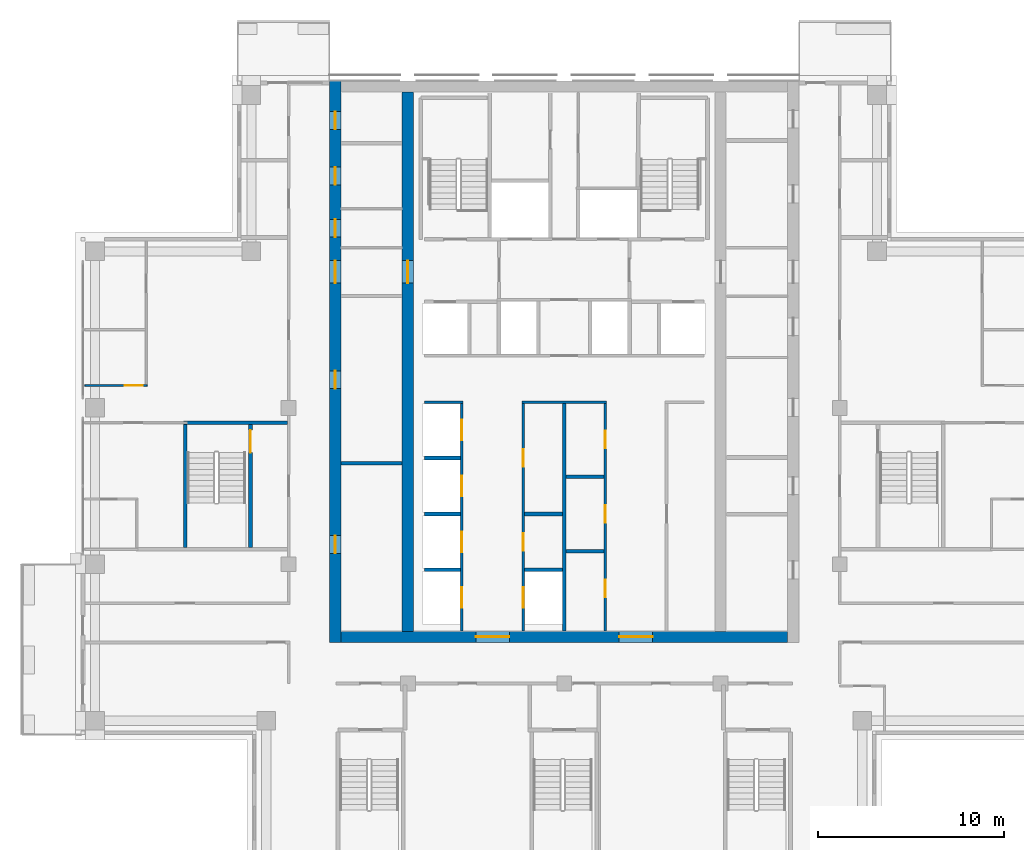
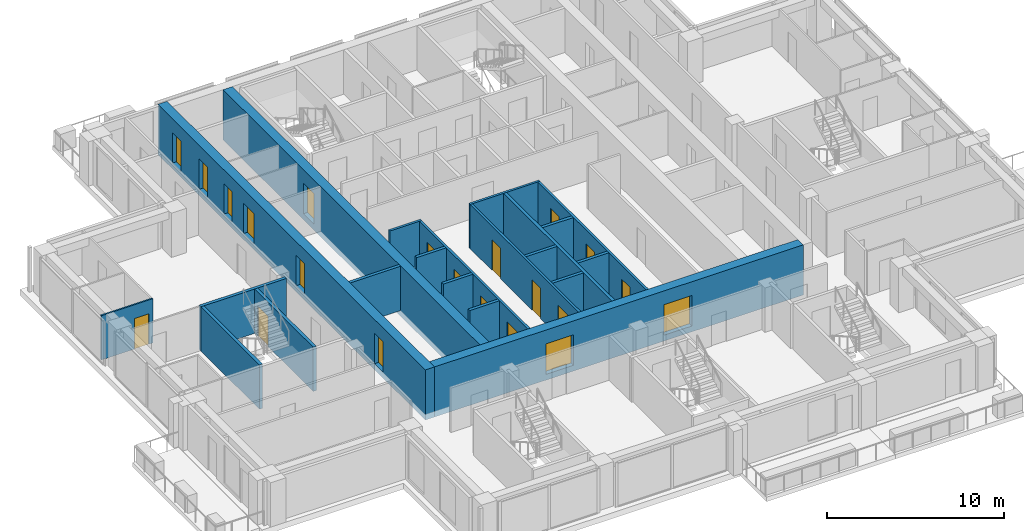
# One storey, part 9 of 17: 21 doors, 21 walls, 21 openings.
"""IFC4 building model written with IfcOpenShell, lengths in metres."""

from ifc_helpers import new_model, si_unit, direction, frame, frame_2d, origin, place, context, subcontext, project, spatial, rectangle, extrude, material, layer, layer_set, type_object, element, fill, save


model = new_model("IFC4")

# Units and contexts
model_context = context("Model", 3, precision=1e-05, world=origin(), true_north=direction((0.0, 1.0)))
body_context = subcontext(model_context, "Body", "Model", "MODEL_VIEW")
ifc_project = project(units=[si_unit("LENGTHUNIT", "METRE"), si_unit("AREAUNIT", "SQUARE_METRE"), si_unit("VOLUMEUNIT", "CUBIC_METRE"), si_unit("PLANEANGLEUNIT", "RADIAN"), si_unit("MASSUNIT", "GRAM", prefix="KILO")], contexts=[model_context])

# Site, building, storey
site_placement = place(None, origin())
site = spatial("IfcSite", under=ifc_project, at=site_placement, CompositionType="ELEMENT")
building_placement = place(site_placement, origin())
building = spatial("IfcBuilding", under=site, at=building_placement, Name="Vermilion Ogive Tower", CompositionType="ELEMENT")
storey_placement = place(building_placement, frame((0.0, 0.0, 189.35009765625)))
storey = spatial("IfcBuildingStorey", under=building, at=storey_placement, Name="L49", CompositionType="ELEMENT", Elevation=189.35009765625)

# Wall, openings, doors
ifc_material_1 = material(Name="Concrete B60", Category="concrete")
ifc_layer_1 = layer(ifc_material_1, 0.60009765625)
ifc_layer_set_1 = layer_set([ifc_layer_1], Name="Core wall 600 B60")
wall_type_1 = type_object("IfcWallType", Name="Core wall 600 B60", PredefinedType="SHEAR", material=ifc_layer_set_1)
wall_1_placement = place(storey_placement, frame((-12.300048828125, -8.39990234375, -0.400146484375), z_axis=(0.0, 0.0, 1.0), x_axis=(0.0, 1.0, 0.0)))
wall_1 = element("IfcWall", 1, at=wall_1_placement, inside=storey, type_object=wall_type_1, Name="L49-CORE-W", PredefinedType="SHEAR", context=body_context, shape_type="SweptSolid", body=[
    extrude(rectangle(XDim=30.14990234375, YDim=0.60009765625, at=frame_2d((15.074951171875, 0.0))), origin(), (0.0, 0.0, 1.0), 3.449951171875),
])
opening_1_placement = place(wall_1_placement, frame((4.78759765625, 0.0, 0.39990234375)))
opening_1 = element("IfcOpeningElement", 2, at=opening_1_placement, cuts=wall_1, Name="Opening DAD073", PredefinedType="OPENING", context=body_context, shape_type="SweptSolid", body=[
    extrude(rectangle(XDim=0.949951171875, YDim=2.10009765625, at=frame_2d((0.47509765625, 1.050048828125))), frame((0.0, 0.31005859375, 0.0), z_axis=(0.0, -1.0, 0.0), x_axis=(1.0, 0.0, 0.0)), (0.0, 0.0, 1.0), 0.6201171875),
])
opening_2_placement = place(wall_1_placement, frame((13.6376953125, 0.0, 0.39990234375)))
opening_2 = element("IfcOpeningElement", 3, at=opening_2_placement, cuts=wall_1, Name="Opening DAD074", PredefinedType="OPENING", context=body_context, shape_type="SweptSolid", body=[
    extrude(rectangle(XDim=0.949951171875, YDim=2.10009765625, at=frame_2d((0.47509765625, 1.050048828125))), frame((0.0, 0.31005859375, 0.0), z_axis=(0.0, -1.0, 0.0), x_axis=(1.0, 0.0, 0.0)), (0.0, 0.0, 1.0), 0.6201171875),
])
opening_3_placement = place(wall_1_placement, frame((21.7705078125, 0.0, 0.39990234375)))
opening_3 = element("IfcOpeningElement", 4, at=opening_3_placement, cuts=wall_1, Name="Opening DAD075", PredefinedType="OPENING", context=body_context, shape_type="SweptSolid", body=[
    extrude(rectangle(XDim=0.949951171875, YDim=2.10009765625, at=frame_2d((0.47509765625, 1.050048828125))), frame((0.0, 0.31005859375, 0.0), z_axis=(0.0, -1.0, 0.0), x_axis=(1.0, 0.0, 0.0)), (0.0, 0.0, 1.0), 0.6201171875),
])
opening_4_placement = place(wall_1_placement, frame((24.57568359375, 0.0, 0.39990234375)))
opening_4 = element("IfcOpeningElement", 5, at=opening_4_placement, cuts=wall_1, Name="Opening DAD076", PredefinedType="OPENING", context=body_context, shape_type="SweptSolid", body=[
    extrude(rectangle(XDim=0.949951171875, YDim=2.10009765625, at=frame_2d((0.47509765625, 1.050048828125))), frame((0.0, 0.31005859375, 0.0), z_axis=(0.0, -1.0, 0.0), x_axis=(1.0, 0.0, 0.0)), (0.0, 0.0, 1.0), 0.6201171875),
])
opening_5_placement = place(wall_1_placement, frame((27.555419921875, 0.0, 0.39990234375)))
opening_5 = element("IfcOpeningElement", 6, at=opening_5_placement, cuts=wall_1, Name="Opening DAD077", PredefinedType="OPENING", context=body_context, shape_type="SweptSolid", body=[
    extrude(rectangle(XDim=0.949951171875, YDim=2.10009765625, at=frame_2d((0.47509765625, 1.050048828125))), frame((0.0, 0.31005859375, 0.0), z_axis=(0.0, -1.0, 0.0), x_axis=(1.0, 0.0, 0.0)), (0.0, 0.0, 1.0), 0.6201171875),
])
opening_6_placement = place(wall_1_placement, frame((19.300048828125, 0.0, 0.39990234375)))
opening_6 = element("IfcOpeningElement", 7, at=opening_6_placement, cuts=wall_1, Name="Opening DAM019", PredefinedType="OPENING", context=body_context, shape_type="SweptSolid", body=[
    extrude(rectangle(XDim=1.199951171875, YDim=2.10009765625, at=frame_2d((0.60009765625, 1.050048828125))), frame((0.0, 0.31005859375, 0.0), z_axis=(0.0, -1.0, 0.0), x_axis=(1.0, 0.0, 0.0)), (0.0, 0.0, 1.0), 0.6201171875),
])
ifc_material_2 = material(Name="Timber door leaf", Category="wood")
door_type_1 = type_object("IfcDoorType", Name="Link door 1200 x 2100 FD60S", OperationType="SINGLE_SWING_LEFT", PredefinedType="DOOR", material=ifc_material_2)
door_1_placement = place(opening_6_placement, origin())
door_1 = element("IfcDoor", 8, at=door_1_placement, inside=storey, type_object=door_type_1, Name="L49-CKW-XL", OperationType="SINGLE_SWING_LEFT", OverallHeight=2.10009765625, OverallWidth=1.199951171875, PredefinedType="DOOR", context=body_context, shape_type="SweptSolid", body=[
    extrude(rectangle(XDim=1.199951171875, YDim=2.10009765625, at=frame_2d((0.60009765625, 1.050048828125))), frame((0.0, 0.02490234375, 0.0), z_axis=(0.0, -1.0, 0.0), x_axis=(1.0, 0.0, 0.0)), (0.0, 0.0, 1.0), 0.050048828125),
])
fill(opening_6, door_1)
ifc_material_3 = material(Name="Timber door leaf", Category="wood")
door_type_2 = type_object("IfcDoorType", Name="Service door 950 x 2100 FD60", OperationType="SINGLE_SWING_LEFT", PredefinedType="DOOR", material=ifc_material_3)
door_2_placement = place(opening_1_placement, origin())
door_2 = element("IfcDoor", 9, at=door_2_placement, inside=storey, type_object=door_type_2, Name="L49-CKW-XR0", OperationType="SINGLE_SWING_LEFT", OverallHeight=2.10009765625, OverallWidth=0.949951171875, PredefinedType="DOOR", context=body_context, shape_type="SweptSolid", body=[
    extrude(rectangle(XDim=0.949951171875, YDim=2.10009765625, at=frame_2d((0.47509765625, 1.050048828125))), frame((0.0, 0.02490234375, 0.0), z_axis=(0.0, -1.0, 0.0), x_axis=(1.0, 0.0, 0.0)), (0.0, 0.0, 1.0), 0.050048828125),
])
fill(opening_1, door_2)
door_3_placement = place(opening_2_placement, origin())
door_3 = element("IfcDoor", 10, at=door_3_placement, inside=storey, type_object=door_type_2, Name="L49-CKW-XR1", OperationType="SINGLE_SWING_LEFT", OverallHeight=2.10009765625, OverallWidth=0.949951171875, PredefinedType="DOOR", context=body_context, shape_type="SweptSolid", body=[
    extrude(rectangle(XDim=0.949951171875, YDim=2.10009765625, at=frame_2d((0.47509765625, 1.050048828125))), frame((0.0, 0.02490234375, 0.0), z_axis=(0.0, -1.0, 0.0), x_axis=(1.0, 0.0, 0.0)), (0.0, 0.0, 1.0), 0.050048828125),
])
fill(opening_2, door_3)
door_4_placement = place(opening_3_placement, origin())
door_4 = element("IfcDoor", 11, at=door_4_placement, inside=storey, type_object=door_type_2, Name="L49-CKW-XR2", OperationType="SINGLE_SWING_LEFT", OverallHeight=2.10009765625, OverallWidth=0.949951171875, PredefinedType="DOOR", context=body_context, shape_type="SweptSolid", body=[
    extrude(rectangle(XDim=0.949951171875, YDim=2.10009765625, at=frame_2d((0.47509765625, 1.050048828125))), frame((0.0, 0.02490234375, 0.0), z_axis=(0.0, -1.0, 0.0), x_axis=(1.0, 0.0, 0.0)), (0.0, 0.0, 1.0), 0.050048828125),
])
fill(opening_3, door_4)
door_5_placement = place(opening_4_placement, origin())
door_5 = element("IfcDoor", 12, at=door_5_placement, inside=storey, type_object=door_type_2, Name="L49-CKW-XR3", OperationType="SINGLE_SWING_LEFT", OverallHeight=2.10009765625, OverallWidth=0.949951171875, PredefinedType="DOOR", context=body_context, shape_type="SweptSolid", body=[
    extrude(rectangle(XDim=0.949951171875, YDim=2.10009765625, at=frame_2d((0.47509765625, 1.050048828125))), frame((0.0, 0.02490234375, 0.0), z_axis=(0.0, -1.0, 0.0), x_axis=(1.0, 0.0, 0.0)), (0.0, 0.0, 1.0), 0.050048828125),
])
fill(opening_4, door_5)
door_6_placement = place(opening_5_placement, origin())
door_6 = element("IfcDoor", 13, at=door_6_placement, inside=storey, type_object=door_type_2, Name="L49-CKW-XR4", OperationType="SINGLE_SWING_LEFT", OverallHeight=2.10009765625, OverallWidth=0.949951171875, PredefinedType="DOOR", context=body_context, shape_type="SweptSolid", body=[
    extrude(rectangle(XDim=0.949951171875, YDim=2.10009765625, at=frame_2d((0.47509765625, 1.050048828125))), frame((0.0, 0.02490234375, 0.0), z_axis=(0.0, -1.0, 0.0), x_axis=(1.0, 0.0, 0.0)), (0.0, 0.0, 1.0), 0.050048828125),
])
fill(opening_5, door_6)

wall_2_placement = place(storey_placement, frame((-12.0, -8.10009765625, -0.400146484375), z_axis=(0.0, 0.0, 1.0), x_axis=(1.0, 0.0, 0.0)))
wall_2 = element("IfcWall", 14, at=wall_2_placement, inside=storey, type_object=wall_type_1, Name="L49-CORE-S", PredefinedType="SHEAR", context=body_context, shape_type="SweptSolid", body=[
    extrude(rectangle(XDim=24.0, YDim=0.60009765625, at=frame_2d((12.0, 0.0))), origin(), (0.0, 0.0, 1.0), 3.449951171875),
])
opening_7_placement = place(wall_2_placement, frame((7.25, 0.0, 0.39990234375)))
opening_7 = element("IfcOpeningElement", 15, at=opening_7_placement, cuts=wall_2, Name="Opening DAH037", PredefinedType="OPENING", context=body_context, shape_type="SweptSolid", body=[
    extrude(rectangle(XDim=1.800048828125, YDim=2.10009765625, at=frame_2d((0.89990234375, 1.050048828125))), frame((0.0, 0.31005859375, 0.0), z_axis=(0.0, -1.0, 0.0), x_axis=(1.0, 0.0, 0.0)), (0.0, 0.0, 1.0), 0.6201171875),
])
opening_8_placement = place(wall_2_placement, frame((14.949951171875, 0.0, 0.39990234375)))
opening_8 = element("IfcOpeningElement", 16, at=opening_8_placement, cuts=wall_2, Name="Opening DAH038", PredefinedType="OPENING", context=body_context, shape_type="SweptSolid", body=[
    extrude(rectangle(XDim=1.800048828125, YDim=2.10009765625, at=frame_2d((0.89990234375, 1.050048828125))), frame((0.0, 0.31005859375, 0.0), z_axis=(0.0, -1.0, 0.0), x_axis=(1.0, 0.0, 0.0)), (0.0, 0.0, 1.0), 0.6201171875),
])
ifc_material_4 = material(Name="Timber door leaf", Category="wood")
door_type_3 = type_object("IfcDoorType", Name="Core entry door 1800 x 2100 FD60S", OperationType="DOUBLE_DOOR_SINGLE_SWING", PredefinedType="DOOR", material=ifc_material_4)
door_7_placement = place(opening_7_placement, origin())
door_7 = element("IfcDoor", 17, at=door_7_placement, inside=storey, type_object=door_type_3, Name="L49-CK-XD1", OperationType="SINGLE_SWING_LEFT", OverallHeight=2.10009765625, OverallWidth=1.800048828125, PredefinedType="DOOR", context=body_context, shape_type="SweptSolid", body=[
    extrude(rectangle(XDim=1.800048828125, YDim=2.10009765625, at=frame_2d((0.89990234375, 1.050048828125))), frame((0.0, 0.02490234375, 0.0), z_axis=(0.0, -1.0, 0.0), x_axis=(1.0, 0.0, 0.0)), (0.0, 0.0, 1.0), 0.050048828125),
])
fill(opening_7, door_7)
door_8_placement = place(opening_8_placement, origin())
door_8 = element("IfcDoor", 18, at=door_8_placement, inside=storey, type_object=door_type_3, Name="L49-CK-XD2", OperationType="SINGLE_SWING_LEFT", OverallHeight=2.10009765625, OverallWidth=1.800048828125, PredefinedType="DOOR", context=body_context, shape_type="SweptSolid", body=[
    extrude(rectangle(XDim=1.800048828125, YDim=2.10009765625, at=frame_2d((0.89990234375, 1.050048828125))), frame((0.0, 0.02490234375, 0.0), z_axis=(0.0, -1.0, 0.0), x_axis=(1.0, 0.0, 0.0)), (0.0, 0.0, 1.0), 0.050048828125),
])
fill(opening_8, door_8)

# Wall, opening, door
wall_3_placement = place(storey_placement, frame((-8.39990234375, -7.800048828125, -0.400146484375), z_axis=(0.0, 0.0, 1.0), x_axis=(0.0, 1.0, 0.0)))
wall_3 = element("IfcWall", 19, at=wall_3_placement, inside=storey, type_object=wall_type_1, Name="L49-CORE-WEB1", PredefinedType="SHEAR", context=body_context, shape_type="SweptSolid", body=[
    extrude(rectangle(XDim=28.949951171875, YDim=0.60009765625, at=frame_2d((14.47509765625, 0.0))), origin(), (0.0, 0.0, 1.0), 3.449951171875),
])
opening_9_placement = place(wall_3_placement, frame((18.699951171875, 0.0, 0.39990234375)))
opening_9 = element("IfcOpeningElement", 20, at=opening_9_placement, cuts=wall_3, Name="Opening DAP014", PredefinedType="OPENING", context=body_context, shape_type="SweptSolid", body=[
    extrude(rectangle(XDim=1.199951171875, YDim=2.10009765625, at=frame_2d((0.60009765625, 1.050048828125))), frame((0.0, 0.31005859375, 0.0), z_axis=(0.0, -1.0, 0.0), x_axis=(1.0, 0.0, 0.0)), (0.0, 0.0, 1.0), 0.6201171875),
])
door_9_placement = place(opening_9_placement, origin())
door_9 = element("IfcDoor", 21, at=door_9_placement, inside=storey, type_object=door_type_1, Name="L49-CKW-XW", OperationType="SINGLE_SWING_LEFT", OverallHeight=2.10009765625, OverallWidth=1.199951171875, PredefinedType="DOOR", context=body_context, shape_type="SweptSolid", body=[
    extrude(rectangle(XDim=1.199951171875, YDim=2.10009765625, at=frame_2d((0.60009765625, 1.050048828125))), frame((0.0, 0.02490234375, 0.0), z_axis=(0.0, -1.0, 0.0), x_axis=(1.0, 0.0, 0.0)), (0.0, 0.0, 1.0), 0.050048828125),
])
fill(opening_9, door_9)

ifc_material_5 = material(Name="Gypsum board partition on steel studs", Category="steel")
ifc_layer_2 = layer(ifc_material_5, 0.10009765625)
ifc_layer_set_2 = layer_set([ifc_layer_2], Name="Partition 100 inner")
wall_type_2 = type_object("IfcWallType", Name="Partition 100 inner", PredefinedType="PARTITIONING", material=ifc_layer_set_2)
wall_4_placement = place(storey_placement, frame((-25.75, 5.39990234375, 0.0), z_axis=(0.0, 0.0, 1.0), x_axis=(1.0, 0.0, 0.0)))
wall_4 = element("IfcWall", 22, at=wall_4_placement, inside=storey, type_object=wall_type_2, Name="L49-W-W021", PredefinedType="PARTITIONING", context=body_context, shape_type="SweptSolid", body=[
    extrude(rectangle(XDim=3.35009765625, YDim=0.10009765625, at=frame_2d((1.675048828125, 0.0))), origin(), (0.0, 0.0, 1.0), 3.0498046875),
])
opening_10_placement = place(wall_4_placement, frame((2.14990234375, 0.0, 0.0)))
opening_10 = element("IfcOpeningElement", 23, at=opening_10_placement, cuts=wall_4, Name="Opening D4G2002", PredefinedType="OPENING", context=body_context, shape_type="SweptSolid", body=[
    extrude(rectangle(XDim=0.949951171875, YDim=2.10009765625, at=frame_2d((0.47509765625, 1.050048828125))), frame((0.0, 0.06005859375, 0.0), z_axis=(0.0, -1.0, 0.0), x_axis=(1.0, 0.0, 0.0)), (0.0, 0.0, 1.0), 0.1201171875),
])
ifc_material_6 = material(Name="Timber door leaf", Category="wood")
door_type_4 = type_object("IfcDoorType", Name="Inner door 950 x 2100 FD30", OperationType="SINGLE_SWING_LEFT", PredefinedType="DOOR", material=ifc_material_6)
door_10_placement = place(opening_10_placement, origin())
door_10 = element("IfcDoor", 24, at=door_10_placement, inside=storey, type_object=door_type_4, Name="L49-D-D002", OperationType="SINGLE_SWING_RIGHT", OverallHeight=2.10009765625, OverallWidth=0.949951171875, PredefinedType="DOOR", context=body_context, shape_type="SweptSolid", body=[
    extrude(rectangle(XDim=0.949951171875, YDim=2.10009765625, at=frame_2d((0.47509765625, 1.050048828125))), frame((0.0, 0.02490234375, 0.0), z_axis=(0.0, -1.0, 0.0), x_axis=(1.0, 0.0, 0.0)), (0.0, 0.0, 1.0), 0.050048828125),
])
fill(opening_10, door_10)

# Walls
ifc_material_7 = material(Name="Gypsum board partition on steel studs", Category="steel")
ifc_layer_3 = layer(ifc_material_7, 0.14990234375)
ifc_layer_set_3 = layer_set([ifc_layer_3], Name="Partition 150 corridor")
wall_type_3 = type_object("IfcWallType", Name="Partition 150 corridor", PredefinedType="PARTITIONING", material=ifc_layer_set_3)
wall_5_placement = place(storey_placement, frame((-7.5, 4.5, 0.0), z_axis=(0.0, 0.0, 1.0), x_axis=(1.0, 0.0, 0.0)))
element("IfcWall", 25, at=wall_5_placement, inside=storey, type_object=wall_type_3, Name="L49-CK-W-W008", PredefinedType="PARTITIONING", context=body_context, shape_type="SweptSolid", body=[
    extrude(rectangle(XDim=2.074951171875, YDim=0.14990234375, at=frame_2d((1.03759765625, 0.0))), origin(), (0.0, 0.0, 1.0), 3.0498046875),
])
wall_6_placement = place(storey_placement, frame((-2.27490234375, 4.5, 0.0), z_axis=(0.0, 0.0, 1.0), x_axis=(1.0, 0.0, 0.0)))
element("IfcWall", 26, at=wall_6_placement, inside=storey, type_object=wall_type_3, Name="L49-CK-W-W009", PredefinedType="PARTITIONING", context=body_context, shape_type="SweptSolid", body=[
    extrude(rectangle(XDim=4.5498046875, YDim=0.14990234375, at=frame_2d((2.27490234375, 0.0))), origin(), (0.0, 0.0, 1.0), 3.0498046875),
])

# Wall, openings, doors
wall_7_placement = place(storey_placement, frame((-5.5, -7.799072265625, 0.0), z_axis=(0.0, 0.0, 1.0), x_axis=(0.0, 1.0, 0.0)))
wall_7 = element("IfcWall", 27, at=wall_7_placement, inside=storey, type_object=wall_type_3, Name="L49-CK-W-W020", PredefinedType="PARTITIONING", context=body_context, shape_type="SweptSolid", body=[
    extrude(rectangle(XDim=12.22412109375, YDim=0.14990234375, at=frame_2d((6.112060546875, 0.0))), origin(), (0.0, 0.0, 1.0), 3.0498046875),
])
opening_11_placement = place(wall_7_placement, frame((1.2490234375, 0.0, 0.0)))
opening_11 = element("IfcOpeningElement", 28, at=opening_11_placement, cuts=wall_7, Name="Opening DAA434", PredefinedType="OPENING", context=body_context, shape_type="SweptSolid", body=[
    extrude(rectangle(XDim=1.10009765625, YDim=2.10009765625, at=frame_2d((0.550048828125, 1.050048828125))), frame((0.0, 0.0849609375, 0.0), z_axis=(0.0, -1.0, 0.0), x_axis=(1.0, 0.0, 0.0)), (0.0, 0.0, 1.0), 0.169921875),
])
opening_12_placement = place(wall_7_placement, frame((4.2490234375, 0.0, 0.0)))
opening_12 = element("IfcOpeningElement", 29, at=opening_12_placement, cuts=wall_7, Name="Opening DAA435", PredefinedType="OPENING", context=body_context, shape_type="SweptSolid", body=[
    extrude(rectangle(XDim=1.10009765625, YDim=2.10009765625, at=frame_2d((0.550048828125, 1.050048828125))), frame((0.0, 0.0849609375, 0.0), z_axis=(0.0, -1.0, 0.0), x_axis=(1.0, 0.0, 0.0)), (0.0, 0.0, 1.0), 0.169921875),
])
opening_13_placement = place(wall_7_placement, frame((7.2490234375, 0.0, 0.0)))
opening_13 = element("IfcOpeningElement", 30, at=opening_13_placement, cuts=wall_7, Name="Opening DAA436", PredefinedType="OPENING", context=body_context, shape_type="SweptSolid", body=[
    extrude(rectangle(XDim=1.10009765625, YDim=2.10009765625, at=frame_2d((0.550048828125, 1.050048828125))), frame((0.0, 0.0849609375, 0.0), z_axis=(0.0, -1.0, 0.0), x_axis=(1.0, 0.0, 0.0)), (0.0, 0.0, 1.0), 0.169921875),
])
opening_14_placement = place(wall_7_placement, frame((10.2490234375, 0.0, 0.0)))
opening_14 = element("IfcOpeningElement", 31, at=opening_14_placement, cuts=wall_7, Name="Opening DAA437", PredefinedType="OPENING", context=body_context, shape_type="SweptSolid", body=[
    extrude(rectangle(XDim=1.10009765625, YDim=2.10009765625, at=frame_2d((0.550048828125, 1.050048828125))), frame((0.0, 0.0849609375, 0.0), z_axis=(0.0, -1.0, 0.0), x_axis=(1.0, 0.0, 0.0)), (0.0, 0.0, 1.0), 0.169921875),
])
ifc_material_8 = material(Name="Stainless steel", Category="steel")
door_type_5 = type_object("IfcDoorType", Name="Lift landing door 1100 x 2100", OperationType="SLIDING_TO_LEFT", PredefinedType="DOOR", material=ifc_material_8)
door_11_placement = place(opening_11_placement, origin())
door_11 = element("IfcDoor", 32, at=door_11_placement, inside=storey, type_object=door_type_5, Name="L49-CK-D-D001", OperationType="SLIDING_TO_LEFT", OverallHeight=2.10009765625, OverallWidth=1.10009765625, PredefinedType="DOOR", context=body_context, shape_type="SweptSolid", body=[
    extrude(rectangle(XDim=1.10009765625, YDim=2.10009765625, at=frame_2d((0.550048828125, 1.050048828125))), frame((0.0, 0.02490234375, 0.0), z_axis=(0.0, -1.0, 0.0), x_axis=(1.0, 0.0, 0.0)), (0.0, 0.0, 1.0), 0.050048828125),
])
fill(opening_11, door_11)
door_12_placement = place(opening_12_placement, origin())
door_12 = element("IfcDoor", 33, at=door_12_placement, inside=storey, type_object=door_type_5, Name="L49-CK-D-D002", OperationType="SLIDING_TO_LEFT", OverallHeight=2.10009765625, OverallWidth=1.10009765625, PredefinedType="DOOR", context=body_context, shape_type="SweptSolid", body=[
    extrude(rectangle(XDim=1.10009765625, YDim=2.10009765625, at=frame_2d((0.550048828125, 1.050048828125))), frame((0.0, 0.02490234375, 0.0), z_axis=(0.0, -1.0, 0.0), x_axis=(1.0, 0.0, 0.0)), (0.0, 0.0, 1.0), 0.050048828125),
])
fill(opening_12, door_12)
door_13_placement = place(opening_13_placement, origin())
door_13 = element("IfcDoor", 34, at=door_13_placement, inside=storey, type_object=door_type_5, Name="L49-CK-D-D003", OperationType="SLIDING_TO_LEFT", OverallHeight=2.10009765625, OverallWidth=1.10009765625, PredefinedType="DOOR", context=body_context, shape_type="SweptSolid", body=[
    extrude(rectangle(XDim=1.10009765625, YDim=2.10009765625, at=frame_2d((0.550048828125, 1.050048828125))), frame((0.0, 0.02490234375, 0.0), z_axis=(0.0, -1.0, 0.0), x_axis=(1.0, 0.0, 0.0)), (0.0, 0.0, 1.0), 0.050048828125),
])
fill(opening_13, door_13)
door_14_placement = place(opening_14_placement, origin())
door_14 = element("IfcDoor", 35, at=door_14_placement, inside=storey, type_object=door_type_5, Name="L49-CK-D-D004", OperationType="SLIDING_TO_LEFT", OverallHeight=2.10009765625, OverallWidth=1.10009765625, PredefinedType="DOOR", context=body_context, shape_type="SweptSolid", body=[
    extrude(rectangle(XDim=1.10009765625, YDim=2.10009765625, at=frame_2d((0.550048828125, 1.050048828125))), frame((0.0, 0.02490234375, 0.0), z_axis=(0.0, -1.0, 0.0), x_axis=(1.0, 0.0, 0.0)), (0.0, 0.0, 1.0), 0.050048828125),
])
fill(opening_14, door_14)

wall_8_placement = place(storey_placement, frame((-2.199951171875, -7.799072265625, 0.0), z_axis=(0.0, 0.0, 1.0), x_axis=(0.0, 1.0, 0.0)))
wall_8 = element("IfcWall", 36, at=wall_8_placement, inside=storey, type_object=wall_type_3, Name="L49-CK-W-W025", PredefinedType="PARTITIONING", context=body_context, shape_type="SweptSolid", body=[
    extrude(rectangle(XDim=12.22412109375, YDim=0.14990234375, at=frame_2d((6.112060546875, 0.0))), origin(), (0.0, 0.0, 1.0), 3.0498046875),
])
opening_15_placement = place(wall_8_placement, frame((1.2490234375, 0.0, 0.0)))
opening_15 = element("IfcOpeningElement", 37, at=opening_15_placement, cuts=wall_8, Name="Opening DAA438", PredefinedType="OPENING", context=body_context, shape_type="SweptSolid", body=[
    extrude(rectangle(XDim=1.10009765625, YDim=2.10009765625, at=frame_2d((0.550048828125, 1.050048828125))), frame((0.0, 0.0849609375, 0.0), z_axis=(0.0, -1.0, 0.0), x_axis=(1.0, 0.0, 0.0)), (0.0, 0.0, 1.0), 0.169921875),
])
opening_16_placement = place(wall_8_placement, frame((4.323974609375, 0.0, 0.0)))
opening_16 = element("IfcOpeningElement", 38, at=opening_16_placement, cuts=wall_8, Name="Opening DAA424", PredefinedType="OPENING", context=body_context, shape_type="SweptSolid", body=[
    extrude(rectangle(XDim=0.949951171875, YDim=2.10009765625, at=frame_2d((0.47509765625, 1.050048828125))), frame((0.0, 0.0849609375, 0.0), z_axis=(0.0, -1.0, 0.0), x_axis=(1.0, 0.0, 0.0)), (0.0, 0.0, 1.0), 0.169921875),
])
opening_17_placement = place(wall_8_placement, frame((8.823974609375, 0.0, 0.0)))
opening_17 = element("IfcOpeningElement", 39, at=opening_17_placement, cuts=wall_8, Name="Opening DAA425", PredefinedType="OPENING", context=body_context, shape_type="SweptSolid", body=[
    extrude(rectangle(XDim=0.949951171875, YDim=2.10009765625, at=frame_2d((0.47509765625, 1.050048828125))), frame((0.0, 0.0849609375, 0.0), z_axis=(0.0, -1.0, 0.0), x_axis=(1.0, 0.0, 0.0)), (0.0, 0.0, 1.0), 0.169921875),
])
door_15_placement = place(opening_15_placement, origin())
door_15 = element("IfcDoor", 40, at=door_15_placement, inside=storey, type_object=door_type_5, Name="L49-CK-D-D005", OperationType="SLIDING_TO_LEFT", OverallHeight=2.10009765625, OverallWidth=1.10009765625, PredefinedType="DOOR", context=body_context, shape_type="SweptSolid", body=[
    extrude(rectangle(XDim=1.10009765625, YDim=2.10009765625, at=frame_2d((0.550048828125, 1.050048828125))), frame((0.0, 0.02490234375, 0.0), z_axis=(0.0, -1.0, 0.0), x_axis=(1.0, 0.0, 0.0)), (0.0, 0.0, 1.0), 0.050048828125),
])
fill(opening_15, door_15)
door_16_placement = place(opening_16_placement, origin())
door_16 = element("IfcDoor", 41, at=door_16_placement, inside=storey, type_object=door_type_2, Name="L49-CK-D-D006", OperationType="SINGLE_SWING_RIGHT", OverallHeight=2.10009765625, OverallWidth=0.949951171875, PredefinedType="DOOR", context=body_context, shape_type="SweptSolid", body=[
    extrude(rectangle(XDim=0.949951171875, YDim=2.10009765625, at=frame_2d((0.47509765625, 1.050048828125))), frame((0.0, 0.02490234375, 0.0), z_axis=(0.0, -1.0, 0.0), x_axis=(1.0, 0.0, 0.0)), (0.0, 0.0, 1.0), 0.050048828125),
])
fill(opening_16, door_16)
door_17_placement = place(opening_17_placement, origin())
door_17 = element("IfcDoor", 42, at=door_17_placement, inside=storey, type_object=door_type_2, Name="L49-CK-D-D007", OperationType="SINGLE_SWING_LEFT", OverallHeight=2.10009765625, OverallWidth=0.949951171875, PredefinedType="DOOR", context=body_context, shape_type="SweptSolid", body=[
    extrude(rectangle(XDim=0.949951171875, YDim=2.10009765625, at=frame_2d((0.47509765625, 1.050048828125))), frame((0.0, 0.02490234375, 0.0), z_axis=(0.0, -1.0, 0.0), x_axis=(1.0, 0.0, 0.0)), (0.0, 0.0, 1.0), 0.050048828125),
])
fill(opening_17, door_17)

wall_9_placement = place(storey_placement, frame((2.199951171875, -7.799072265625, 0.0), z_axis=(0.0, 0.0, 1.0), x_axis=(0.0, 1.0, 0.0)))
wall_9 = element("IfcWall", 43, at=wall_9_placement, inside=storey, type_object=wall_type_3, Name="L49-CK-W-W032", PredefinedType="PARTITIONING", context=body_context, shape_type="SweptSolid", body=[
    extrude(rectangle(XDim=12.22412109375, YDim=0.14990234375, at=frame_2d((6.112060546875, 0.0))), origin(), (0.0, 0.0, 1.0), 3.0498046875),
])
opening_18_placement = place(wall_9_placement, frame((1.823974609375, 0.0, 0.0)))
opening_18 = element("IfcOpeningElement", 44, at=opening_18_placement, cuts=wall_9, Name="Opening DAA426", PredefinedType="OPENING", context=body_context, shape_type="SweptSolid", body=[
    extrude(rectangle(XDim=0.949951171875, YDim=2.10009765625, at=frame_2d((0.47509765625, 1.050048828125))), frame((0.0, 0.0849609375, 0.0), z_axis=(0.0, -1.0, 0.0), x_axis=(1.0, 0.0, 0.0)), (0.0, 0.0, 1.0), 0.169921875),
])
opening_19_placement = place(wall_9_placement, frame((5.823974609375, 0.0, 0.0)))
opening_19 = element("IfcOpeningElement", 45, at=opening_19_placement, cuts=wall_9, Name="Opening DAA427", PredefinedType="OPENING", context=body_context, shape_type="SweptSolid", body=[
    extrude(rectangle(XDim=0.949951171875, YDim=2.10009765625, at=frame_2d((0.47509765625, 1.050048828125))), frame((0.0, 0.0849609375, 0.0), z_axis=(0.0, -1.0, 0.0), x_axis=(1.0, 0.0, 0.0)), (0.0, 0.0, 1.0), 0.169921875),
])
opening_20_placement = place(wall_9_placement, frame((9.823974609375, 0.0, 0.0)))
opening_20 = element("IfcOpeningElement", 46, at=opening_20_placement, cuts=wall_9, Name="Opening DAA428", PredefinedType="OPENING", context=body_context, shape_type="SweptSolid", body=[
    extrude(rectangle(XDim=0.949951171875, YDim=2.10009765625, at=frame_2d((0.47509765625, 1.050048828125))), frame((0.0, 0.0849609375, 0.0), z_axis=(0.0, -1.0, 0.0), x_axis=(1.0, 0.0, 0.0)), (0.0, 0.0, 1.0), 0.169921875),
])
door_18_placement = place(opening_18_placement, origin())
door_18 = element("IfcDoor", 47, at=door_18_placement, inside=storey, type_object=door_type_2, Name="L49-CK-D-D008", OperationType="SINGLE_SWING_RIGHT", OverallHeight=2.10009765625, OverallWidth=0.949951171875, PredefinedType="DOOR", context=body_context, shape_type="SweptSolid", body=[
    extrude(rectangle(XDim=0.949951171875, YDim=2.10009765625, at=frame_2d((0.47509765625, 1.050048828125))), frame((0.0, 0.02490234375, 0.0), z_axis=(0.0, -1.0, 0.0), x_axis=(1.0, 0.0, 0.0)), (0.0, 0.0, 1.0), 0.050048828125),
])
fill(opening_18, door_18)
door_19_placement = place(opening_19_placement, origin())
door_19 = element("IfcDoor", 48, at=door_19_placement, inside=storey, type_object=door_type_2, Name="L49-CK-D-D009", OperationType="SINGLE_SWING_RIGHT", OverallHeight=2.10009765625, OverallWidth=0.949951171875, PredefinedType="DOOR", context=body_context, shape_type="SweptSolid", body=[
    extrude(rectangle(XDim=0.949951171875, YDim=2.10009765625, at=frame_2d((0.47509765625, 1.050048828125))), frame((0.0, 0.02490234375, 0.0), z_axis=(0.0, -1.0, 0.0), x_axis=(1.0, 0.0, 0.0)), (0.0, 0.0, 1.0), 0.050048828125),
])
fill(opening_19, door_19)
door_20_placement = place(opening_20_placement, origin())
door_20 = element("IfcDoor", 49, at=door_20_placement, inside=storey, type_object=door_type_2, Name="L49-CK-D-D010", OperationType="SINGLE_SWING_LEFT", OverallHeight=2.10009765625, OverallWidth=0.949951171875, PredefinedType="DOOR", context=body_context, shape_type="SweptSolid", body=[
    extrude(rectangle(XDim=0.949951171875, YDim=2.10009765625, at=frame_2d((0.47509765625, 1.050048828125))), frame((0.0, 0.02490234375, 0.0), z_axis=(0.0, -1.0, 0.0), x_axis=(1.0, 0.0, 0.0)), (0.0, 0.0, 1.0), 0.050048828125),
])
fill(opening_20, door_20)

# Walls
ifc_material_9 = material(Name="Gypsum board partition on steel studs", Category="steel")
ifc_layer_4 = layer(ifc_material_9, 0.199951171875)
ifc_layer_set_4 = layer_set([ifc_layer_4], Name="Partition 200 party")
wall_type_4 = type_object("IfcWallType", Name="Partition 200 party", PredefinedType="PARTITIONING", material=ifc_layer_set_4)
wall_10_placement = place(storey_placement, frame((-7.5, -4.5, 0.0), z_axis=(0.0, 0.0, 1.0), x_axis=(1.0, 0.0, 0.0)))
element("IfcWall", 50, at=wall_10_placement, inside=storey, type_object=wall_type_4, Name="L49-CK-W-W001", PredefinedType="PARTITIONING", context=body_context, shape_type="SweptSolid", body=[
    extrude(rectangle(XDim=1.925048828125, YDim=0.199951171875, at=frame_2d((0.96240234375, 0.0))), origin(), (0.0, 0.0, 1.0), 3.0498046875),
])
for number, where, z_axis, x_axis, name in (
    (51, (-2.125, -4.5, 0.0), (0.0, 0.0, 1.0), (1.0, 0.0, 0.0), "L49-CK-W-W002"),
    (52, (0.10009765625, -3.5, 0.0), (0.0, 0.0, 1.0), (1.0, 0.0, 0.0), "L49-CK-W-W003"),
):
    element("IfcWall", number, at=place(storey_placement, frame(where, z_axis=z_axis, x_axis=x_axis)), inside=storey, type_object=wall_type_4, Name=name, PredefinedType="PARTITIONING", context=body_context, shape_type="SweptSolid", body=[
        extrude(rectangle(XDim=2.02490234375, YDim=0.199951171875, at=frame_2d((1.012451171875, 0.0))), origin(), (0.0, 0.0, 1.0), 3.0498046875),
    ])
wall_11_placement = place(storey_placement, frame((-7.5, -1.5, 0.0), z_axis=(0.0, 0.0, 1.0), x_axis=(1.0, 0.0, 0.0)))
element("IfcWall", 53, at=wall_11_placement, inside=storey, type_object=wall_type_4, Name="L49-CK-W-W004", PredefinedType="PARTITIONING", context=body_context, shape_type="SweptSolid", body=[
    extrude(rectangle(XDim=1.925048828125, YDim=0.199951171875, at=frame_2d((0.96240234375, 0.0))), origin(), (0.0, 0.0, 1.0), 3.0498046875),
])
for number, where, z_axis, x_axis, name in (
    (54, (-2.125, -1.5, 0.0), (0.0, 0.0, 1.0), (1.0, 0.0, 0.0), "L49-CK-W-W005"),
    (55, (0.10009765625, 0.5, 0.0), (0.0, 0.0, 1.0), (1.0, 0.0, 0.0), "L49-CK-W-W006"),
):
    element("IfcWall", number, at=place(storey_placement, frame(where, z_axis=z_axis, x_axis=x_axis)), inside=storey, type_object=wall_type_4, Name=name, PredefinedType="PARTITIONING", context=body_context, shape_type="SweptSolid", body=[
        extrude(rectangle(XDim=2.02490234375, YDim=0.199951171875, at=frame_2d((1.012451171875, 0.0))), origin(), (0.0, 0.0, 1.0), 3.0498046875),
    ])
wall_12_placement = place(storey_placement, frame((-7.5, 1.5, 0.0), z_axis=(0.0, 0.0, 1.0), x_axis=(1.0, 0.0, 0.0)))
element("IfcWall", 56, at=wall_12_placement, inside=storey, type_object=wall_type_4, Name="L49-CK-W-W007", PredefinedType="PARTITIONING", context=body_context, shape_type="SweptSolid", body=[
    extrude(rectangle(XDim=1.925048828125, YDim=0.199951171875, at=frame_2d((0.96240234375, 0.0))), origin(), (0.0, 0.0, 1.0), 3.0498046875),
])
wall_13_placement = place(storey_placement, frame((0.0, -7.799072265625, 0.0), z_axis=(0.0, 0.0, 1.0), x_axis=(0.0, 1.0, 0.0)))
element("IfcWall", 57, at=wall_13_placement, inside=storey, type_object=wall_type_4, Name="L49-CK-W-W028", PredefinedType="PARTITIONING", context=body_context, shape_type="SweptSolid", body=[
    extrude(rectangle(XDim=12.22412109375, YDim=0.199951171875, at=frame_2d((6.112060546875, 0.0))), origin(), (0.0, 0.0, 1.0), 3.0498046875),
])
wall_14_placement = place(storey_placement, frame((-11.9990234375, 1.22509765625, 0.0), z_axis=(0.0, 0.0, 1.0), x_axis=(1.0, 0.0, 0.0)))
element("IfcWall", 58, at=wall_14_placement, inside=storey, type_object=wall_type_4, Name="L49-CKW-W-W001", PredefinedType="PARTITIONING", context=body_context, shape_type="SweptSolid", body=[
    extrude(rectangle(XDim=3.298095703125, YDim=0.199951171875, at=frame_2d((1.64892578125, 0.0))), origin(), (0.0, 0.0, 1.0), 3.0498046875),
])
ifc_material_10 = material(Name="Concrete B60", Category="concrete")
ifc_layer_5 = layer(ifc_material_10, 0.199951171875)
ifc_layer_set_5 = layer_set([ifc_layer_5], Name="Stair shaft wall 200 Concrete B60")
wall_type_5 = type_object("IfcWallType", Name="Stair shaft wall 200 Concrete B60", PredefinedType="SOLIDWALL", material=ifc_layer_set_5)
wall_15_placement = place(storey_placement, frame((-20.449951171875, 3.39990234375, 0.0), z_axis=(0.0, 0.0, 1.0), x_axis=(1.0, 0.0, 0.0)))
element("IfcWall", 59, at=wall_15_placement, inside=storey, type_object=wall_type_5, Name="L49-W-W018", PredefinedType="SOLIDWALL", context=body_context, shape_type="SweptSolid", body=[
    extrude(rectangle(XDim=5.574951171875, YDim=0.199951171875, at=frame_2d((2.78759765625, 0.0))), origin(), (0.0, 0.0, 1.0), 3.0498046875),
])

# Wall, opening, door
wall_16_placement = place(storey_placement, frame((-16.85009765625, -3.300048828125, 0.0), z_axis=(0.0, 0.0, 1.0), x_axis=(0.0, 1.0, 0.0)))
wall_16 = element("IfcWall", 60, at=wall_16_placement, inside=storey, type_object=wall_type_5, Name="L49-W-W032", PredefinedType="SOLIDWALL", context=body_context, shape_type="SweptSolid", body=[
    extrude(rectangle(XDim=6.60009765625, YDim=0.199951171875, at=frame_2d((3.300048828125, 0.0))), origin(), (0.0, 0.0, 1.0), 3.0498046875),
])
opening_21_placement = place(wall_16_placement, frame((5.10009765625, 0.0, 0.0)))
opening_21 = element("IfcOpeningElement", 61, at=opening_21_placement, cuts=wall_16, Name="Opening D4G2029", PredefinedType="OPENING", context=body_context, shape_type="SweptSolid", body=[
    extrude(rectangle(XDim=1.199951171875, YDim=2.10009765625, at=frame_2d((0.60009765625, 1.050048828125))), frame((0.0, 0.10986328125, 0.0), z_axis=(0.0, -1.0, 0.0), x_axis=(1.0, 0.0, 0.0)), (0.0, 0.0, 1.0), 0.219970703125),
])
ifc_material_11 = material(Name="Timber door leaf", Category="wood")
door_type_6 = type_object("IfcDoorType", Name="Stair door 1200 x 2100 FD60S", OperationType="SINGLE_SWING_LEFT", PredefinedType="DOOR", material=ifc_material_11)
door_21_placement = place(opening_21_placement, origin())
door_21 = element("IfcDoor", 62, at=door_21_placement, inside=storey, type_object=door_type_6, Name="L49-D-D029", OperationType="SINGLE_SWING_RIGHT", OverallHeight=2.10009765625, OverallWidth=1.199951171875, PredefinedType="DOOR", context=body_context, shape_type="SweptSolid", body=[
    extrude(rectangle(XDim=1.199951171875, YDim=2.10009765625, at=frame_2d((0.60009765625, 1.050048828125))), frame((0.0, 0.02490234375, 0.0), z_axis=(0.0, -1.0, 0.0), x_axis=(1.0, 0.0, 0.0)), (0.0, 0.0, 1.0), 0.050048828125),
])
fill(opening_21, door_21)

# Wall
wall_17_placement = place(storey_placement, frame((-20.35009765625, -3.300048828125, 0.0), z_axis=(0.0, 0.0, 1.0), x_axis=(0.0, 1.0, 0.0)))
element("IfcWall", 63, at=wall_17_placement, inside=storey, type_object=wall_type_5, Name="L49-W-W031-A", PredefinedType="SOLIDWALL", context=body_context, shape_type="SweptSolid", body=[
    extrude(rectangle(XDim=6.60009765625, YDim=0.199951171875, at=frame_2d((3.300048828125, 0.0))), origin(), (0.0, 0.0, 1.0), 3.0498046875),
])

save(model, "model.ifc")
